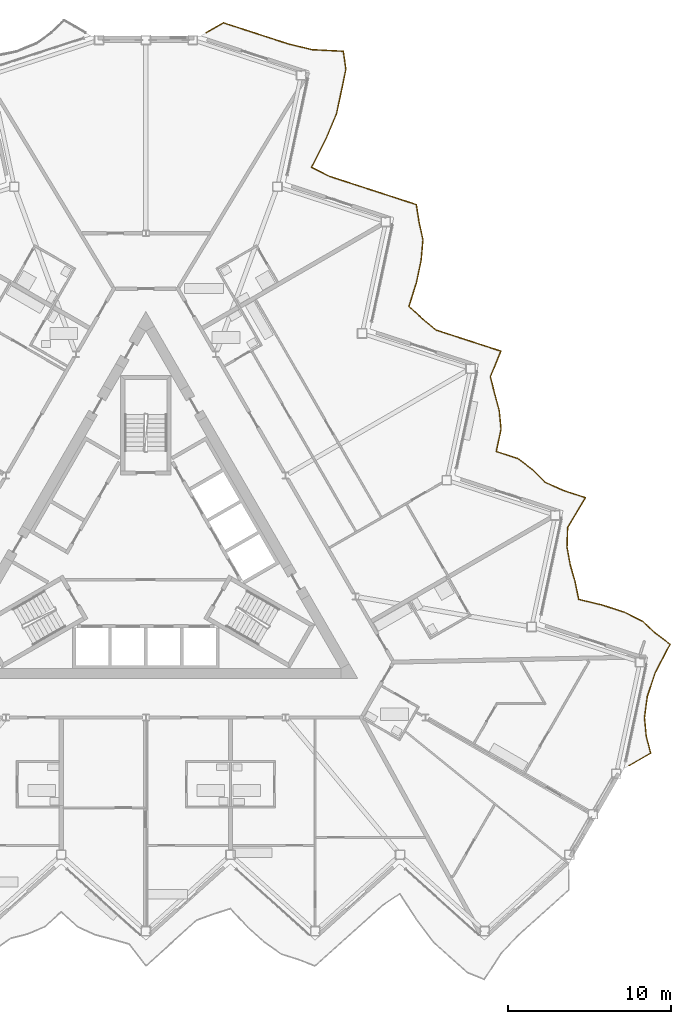
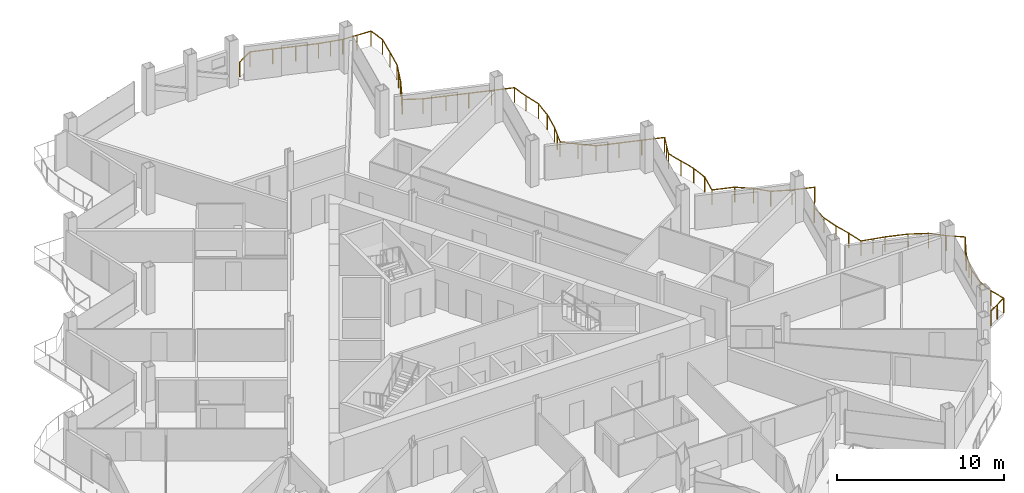
# One storey, part 25 of 27: 1 railing.
"""IFC4 building model written with IfcOpenShell, lengths in metres."""

import ifcopenshell
import ifcopenshell.guid

model = None  # the IFC model being written
_history = None  # IfcOwnerHistory: only IFC2X3 demands one
_inside = {}  # id of a spatial element -> (the spatial element, [elements in it])
_under = {}  # id of a project, library or spatial element -> (it, [spatial elements below it])
_declared = {}  # id of a project -> (the project, [libraries it declares])
_typed = {}  # id of a type object -> (the type object, [elements of that type])
_made_of = {}  # id of a material, layer set ... -> (it, [elements and type objects made of it])


def new_model(schema):
    """Start an empty IFC model of exactly this schema.

    Asked for "IFC4X3", IfcOpenShell would pick the latest addendum, in which some entities
    have other attributes; the version numbers below select the first issue.
    IFC2X3 requires an IfcOwnerHistory on every rooted entity: one is made here for all.
    """
    global model, _history
    if schema == "IFC4X3":
        model = ifcopenshell.file(schema_version=(4, 3, 0, 0))
    else:
        model = ifcopenshell.file(schema=schema)
    _inside.clear()
    _under.clear()
    _declared.clear()
    _typed.clear()
    _made_of.clear()
    _history = None
    if model.schema == "IFC2X3":
        org = make("IfcOrganization", Name="unknown")
        user = make(
            "IfcPersonAndOrganization",
            ThePerson=make("IfcPerson", FamilyName="unknown"),
            TheOrganization=org,
        )
        app = make(
            "IfcApplication",
            ApplicationDeveloper=org,
            Version="unknown",
            ApplicationFullName="unknown",
            ApplicationIdentifier="unknown",
        )
        _history = make(
            "IfcOwnerHistory",
            OwningUser=user,
            OwningApplication=app,
            ChangeAction="ADDED",
            CreationDate=0,
        )
    return model


def make(cls, **values):
    """One entity of the class cls with the attributes given. An attribute that is None is left unset."""
    return model.create_entity(
        cls, **{name: value for name, value in values.items() if value is not None}
    )


def rooted(cls, **values):
    """An entity with a GlobalId (a new one), such as an element, a storey or a relation."""
    return make(cls, GlobalId=ifcopenshell.guid.new(), OwnerHistory=_history, **values)


def si_unit(unit_type, name, prefix=None):
    """IfcSIUnit, for example si_unit("LENGTHUNIT", "METRE", prefix="MILLI")."""
    return make("IfcSIUnit", UnitType=unit_type, Prefix=prefix, Name=name)


def assignment(units):
    """IfcUnitAssignment: the units of a project."""
    return None if units is None else make("IfcUnitAssignment", Units=units)


def point(xyz):
    """IfcCartesianPoint."""
    return None if xyz is None else make("IfcCartesianPoint", Coordinates=xyz)


def direction(xyz):
    """IfcDirection."""
    return None if xyz is None else make("IfcDirection", DirectionRatios=xyz)


def frame(location, z_axis=None, x_axis=None):
    """IfcAxis2Placement3D, a coordinate frame: its origin and axes. An axis left out is left unset."""
    return make(
        "IfcAxis2Placement3D",
        Location=point(location),
        Axis=direction(z_axis),
        RefDirection=direction(x_axis),
    )


def frame_2d(location, x_axis=None):
    """IfcAxis2Placement2D, a coordinate frame in the plane: its origin and x axis."""
    return make(
        "IfcAxis2Placement2D", Location=point(location), RefDirection=direction(x_axis)
    )


def origin():
    """The frame at (0, 0, 0) with its axes left unset."""
    return frame((0.0, 0.0, 0.0))


def origin_2d():
    """The frame at (0, 0) in the plane with its x axis left unset."""
    return frame_2d((0.0, 0.0))


def place(relative_to, where):
    """IfcLocalPlacement: puts the frame where relative to a parent placement (None: the world)."""
    return make(
        "IfcLocalPlacement", PlacementRelTo=relative_to, RelativePlacement=where
    )


def context(
    kind, dimensions, precision=None, world=None, true_north=None, identifier=None
):
    """IfcGeometricRepresentationContext, for example the 3D "Model" context."""
    return make(
        "IfcGeometricRepresentationContext",
        ContextIdentifier=identifier,
        ContextType=kind,
        CoordinateSpaceDimension=dimensions,
        Precision=precision,
        WorldCoordinateSystem=world,
        TrueNorth=true_north,
    )


def subcontext(parent, identifier, kind, view, scale=None):
    """IfcGeometricRepresentationSubContext, for example "Body" below "Model"."""
    return make(
        "IfcGeometricRepresentationSubContext",
        ContextIdentifier=identifier,
        ContextType=kind,
        ParentContext=parent,
        TargetScale=scale,
        TargetView=view,
    )


def project(units=None, contexts=None):
    """IfcProject with its units and contexts."""
    return rooted(
        "IfcProject",
        Name="project",
        RepresentationContexts=contexts,
        UnitsInContext=assignment(units),
    )


def spatial(cls, under=None, at=None, **own):
    """A site, building, storey or space (cls), placed at a placement, below another one or the project."""
    s = rooted(cls, ObjectPlacement=at, **own)
    if under is not None:
        _under.setdefault(under.id(), (under, []))[1].append(s)
    return s


def profile(cls, at=None, kind="AREA", **sizes):
    """A parametric profile (cls). Its sizes go by their IFC names, for example OverallWidth=200.0."""
    return make(cls, ProfileType=kind, Position=at, **sizes)


def circle(**sizes):
    """IfcCircleProfileDef."""
    return profile("IfcCircleProfileDef", **sizes)


def extrude(swept, where, along, depth):
    """IfcExtrudedAreaSolid: the profile swept, set in the frame where, extruded along a direction by depth."""
    return make(
        "IfcExtrudedAreaSolid",
        SweptArea=swept,
        Position=where,
        ExtrudedDirection=direction(along),
        Depth=depth,
    )


def shape(context_of_items, identifier, shape_type, items):
    """IfcShapeRepresentation: the items that make up one representation, for example the "Body"."""
    return make(
        "IfcShapeRepresentation",
        ContextOfItems=context_of_items,
        RepresentationIdentifier=identifier,
        RepresentationType=shape_type,
        Items=items,
    )


def material(Name=None, Category=None):
    """IfcMaterial."""
    return make("IfcMaterial", Name=Name, Category=Category)


def made_of(thing, what):
    """Note that an element or type object is made of a material, layer set ...; save() writes the relation."""
    if what is not None:
        _made_of.setdefault(what.id(), (what, []))[1].append(thing)
    return thing


def type_object(cls, material=None, **own):
    """A type object (cls), such as IfcWallType, which elements share."""
    return made_of(rooted(cls, **own), material)


def element(
    cls,
    number,
    at=None,
    inside=None,
    cuts=None,
    type_object=None,
    material=None,
    context=None,
    identifier="Body",
    shape_type=None,
    held_by="IfcProductDefinitionShape",
    body=None,
    shapes=None,
    **own,
):
    """One element of the class cls, such as IfcWall. Its Tag is "e" and its number.

    at: its placement. inside: the storey or other place that contains it. cuts: it is an
    opening in that element (IfcRelVoidsElement). A single representation is given by context,
    identifier, shape_type and body (its items); several are given by shapes. held_by: the class
    of the entity that holds the representations. save() writes the other relations.
    """
    e = rooted(cls, Tag="e%d" % number, ObjectPlacement=at, **own)
    if body is not None:
        shapes = [shape(context, identifier, shape_type, body)]
    if shapes is not None:
        e.Representation = make(held_by, Representations=shapes)
    if inside is not None:
        _inside.setdefault(inside.id(), (inside, []))[1].append(e)
    if cuts is not None:
        rooted(
            "IfcRelVoidsElement", RelatingBuildingElement=cuts, RelatedOpeningElement=e
        )
    if type_object is not None:
        _typed.setdefault(type_object.id(), (type_object, []))[1].append(e)
    return made_of(e, material)


def aggregate(whole, parts):
    """IfcRelAggregates: a whole, such as a stair, and the parts it consists of."""
    return rooted("IfcRelAggregates", RelatingObject=whole, RelatedObjects=parts)


def save(model, path):
    """Write the relations noted so far, then the file.

    IfcRelAggregates (storeys below a building ...), IfcRelContainedInSpatialStructure (elements
    in a storey), IfcRelDefinesByType, IfcRelAssociatesMaterial and IfcRelDeclares: one each for
    every whole, place, type object, material and project.
    """
    for whole, parts in _under.values():
        aggregate(whole, parts)
    for where, things in _inside.values():
        rooted(
            "IfcRelContainedInSpatialStructure",
            RelatedElements=things,
            RelatingStructure=where,
        )
    for kind, things in _typed.values():
        rooted("IfcRelDefinesByType", RelatedObjects=things, RelatingType=kind)
    for what, things in _made_of.values():
        rooted("IfcRelAssociatesMaterial", RelatedObjects=things, RelatingMaterial=what)
    for by, libraries in _declared.values():
        rooted("IfcRelDeclares", RelatingContext=by, RelatedDefinitions=libraries)
    model.write(path)


model = new_model("IFC4")

# Units and contexts
model_context = context("Model", 3, precision=1e-05, world=origin(), true_north=direction((0.0, 1.0)))
body_context = subcontext(model_context, "Body", "Model", "MODEL_VIEW")
ifc_project = project(units=[si_unit("LENGTHUNIT", "METRE"), si_unit("AREAUNIT", "SQUARE_METRE"), si_unit("VOLUMEUNIT", "CUBIC_METRE"), si_unit("PLANEANGLEUNIT", "RADIAN"), si_unit("MASSUNIT", "GRAM", prefix="KILO")], contexts=[model_context])

# Site, building, storey
site_placement = place(None, origin())
site = spatial("IfcSite", under=ifc_project, at=site_placement, CompositionType="ELEMENT")
building_placement = place(site_placement, origin())
building = spatial("IfcBuilding", under=site, at=building_placement, Name="Cormorant Prow Tower", CompositionType="ELEMENT")
storey_placement = place(building_placement, frame((0.0, 0.0, 315.39990234375)))
storey = spatial("IfcBuildingStorey", under=building, at=storey_placement, Name="L69", CompositionType="ELEMENT", Elevation=315.39990234375)

# Railing
ifc_material = material(Name="Aluminium 6063-T6", Category="aluminium")
railing_type = type_object("IfcRailingType", Name="Balcony guard 1100", PredefinedType="GUARDRAIL", material=ifc_material)
railing_placement = place(storey_placement, frame((29.66748046875, -12.852294921875, 0.0)))
element("IfcRailing", 1, at=railing_placement, inside=storey, type_object=railing_type, Name="Balcony guard ENE", PredefinedType="GUARDRAIL", context=body_context, shape_type="SweptSolid", body=[
    extrude(circle(Radius=0.02392578125, at=origin_2d()), frame((0.0, 0.0, 1.076171875), z_axis=(0.865990296034, 0.500060803479, 0.0), x_axis=(-0.500060803479, 0.865990296034, 0.0)), (0.0, 0.0, 1.0), 1.519775390625),
    extrude(circle(Radius=0.02392578125, at=origin_2d()), frame((1.316162109375, 0.760009765625, 1.076171875), z_axis=(-0.254526797847, 0.96706572123, 0.0), x_axis=(-0.96706572123, -0.254526797847, 0.0)), (0.0, 0.0, 1.0), 1.076171875),
    extrude(circle(Radius=0.02392578125, at=origin_2d()), frame((1.042236328125, 1.80078125, 1.076171875), z_axis=(-0.094930168972, 0.995483934084, 0.0), x_axis=(-0.995483934084, -0.094930168972, 0.0)), (0.0, 0.0, 1.0), 1.141845703125),
    extrude(circle(Radius=0.02392578125, at=origin_2d()), frame((0.933837890625, 2.9375, 1.076171875), z_axis=(0.133053480017, 0.991108859538, 0.0), x_axis=(-0.991108859538, 0.133053480017, 0.0)), (0.0, 0.0, 1.0), 1.31201171875),
    extrude(circle(Radius=0.02392578125, at=origin_2d()), frame((1.1083984375, 4.23779296875, 1.076171875), z_axis=(0.314680505044, 0.949197650516, 0.0), x_axis=(-0.949197650516, 0.314680505044, 0.0)), (0.0, 0.0, 1.0), 1.5625),
    extrude(circle(Radius=0.02392578125, at=origin_2d()), frame((1.60009765625, 5.720947265625, 1.076171875), z_axis=(0.46650004897, 0.884521172336, 0.0), x_axis=(-0.884521172336, 0.46650004897, 0.0)), (0.0, 0.0, 1.0), 1.948974609375),
    extrude(circle(Radius=0.02392578125, at=origin_2d()), frame((2.50927734375, 7.44482421875, 1.076171875), z_axis=(-0.801448559244, 0.598063714738, 0.0), x_axis=(-0.598063714738, -0.801448559244, 0.0)), (0.0, 0.0, 1.0), 1.130859375),
    extrude(circle(Radius=0.02392578125, at=origin_2d()), frame((1.60302734375, 8.12109375, 1.076171875), z_axis=(-0.731832125481, 0.681484952229, 0.0), x_axis=(-0.681484952229, -0.731832125481, 0.0)), (0.0, 0.0, 1.0), 1.086181640625),
    extrude(circle(Radius=0.02392578125, at=origin_2d()), frame((0.80810546875, 8.861328125, 1.076171875), z_axis=(-0.895832274755, 0.444392321611, 0.0), x_axis=(-0.444392321611, -0.895832274755, 0.0)), (0.0, 0.0, 1.0), 1.2470703125),
    extrude(circle(Radius=0.02392578125, at=origin_2d()), frame((-0.30908203125, 9.41552734375, 1.076171875), z_axis=(-0.951049473261, 0.309038669765, 0.0), x_axis=(-0.309038669765, -0.951049473261, 0.0)), (0.0, 0.0, 1.0), 1.3974609375),
    extrude(circle(Radius=0.02392578125, at=origin_2d()), frame((-1.63818359375, 9.847412109375, 1.076171875), z_axis=(-0.972192918436, 0.234181402642, 0.0), x_axis=(-0.234181402642, -0.972192918436, 0.0)), (0.0, 0.0, 1.0), 1.507568359375),
    extrude(circle(Radius=0.02392578125, at=origin_2d()), frame((-3.103759765625, 10.200439453125, 1.076171875), z_axis=(-0.199287382647, 0.979941089616, 0.0), x_axis=(-0.979941089616, -0.199287382647, 0.0)), (0.0, 0.0, 1.0), 1.09521484375),
    extrude(circle(Radius=0.02392578125, at=origin_2d()), frame((-3.322021484375, 11.273681640625, 1.076171875), z_axis=(-0.276528694567, 0.961005661316, 0.0), x_axis=(-0.961005661316, -0.276528694567, 0.0)), (0.0, 0.0, 1.0), 1.070068359375),
    extrude(circle(Radius=0.02392578125, at=origin_2d()), frame((-3.617919921875, 12.302001953125, 1.076171875), z_axis=(-0.182628921889, 0.983181914444, 0.0), x_axis=(-0.983181914444, -0.182628921889, 0.0)), (0.0, 0.0, 1.0), 1.1015625),
    extrude(circle(Radius=0.02392578125, at=origin_2d()), frame((-3.819091796875, 13.385009765625, 1.076171875), z_axis=(0.03117236859, 0.999514023632, 0.0), x_axis=(-0.999514023632, 0.03117236859, 0.0)), (0.0, 0.0, 1.0), 1.2216796875),
    extrude(circle(Radius=0.02392578125, at=origin_2d()), frame((-3.781005859375, 14.606201171875, 1.076171875), z_axis=(0.513672056479, 0.857986607351, 0.0), x_axis=(-0.857986607351, 0.513672056479, 0.0)), (0.0, 0.0, 1.0), 2.136474609375),
    extrude(circle(Radius=0.02392578125, at=origin_2d()), frame((-2.68359375, 16.439208984375, 1.076171875), z_axis=(-0.951049473261, 0.309038669765, 0.0), x_axis=(-0.309038669765, -0.951049473261, 0.0)), (0.0, 0.0, 1.0), 1.3974609375),
    extrude(circle(Radius=0.02392578125, at=origin_2d()), frame((-4.0126953125, 16.87109375, 1.076171875), z_axis=(-0.913371682703, 0.407126723804, 0.0), x_axis=(-0.407126723804, -0.913371682703, 0.0)), (0.0, 0.0, 1.0), 1.283203125),
    extrude(circle(Radius=0.02392578125, at=origin_2d()), frame((-5.184814453125, 17.3935546875, 1.076171875), z_axis=(-0.700819725336, 0.713338427802, 0.0), x_axis=(-0.713338427802, -0.700819725336, 0.0)), (0.0, 0.0, 1.0), 1.072509765625),
    extrude(circle(Radius=0.02392578125, at=origin_2d()), frame((-5.9365234375, 18.15869140625, 1.076171875), z_axis=(-0.794868640028, 0.60678154644, 0.0), x_axis=(-0.60678154644, -0.794868640028, 0.0)), (0.0, 0.0, 1.0), 1.12548828125),
    extrude(circle(Radius=0.02392578125, at=origin_2d()), frame((-6.8310546875, 18.841552734375, 1.076171875), z_axis=(-0.951049473261, 0.309038669765, 0.0), x_axis=(-0.309038669765, -0.951049473261, 0.0)), (0.0, 0.0, 1.0), 1.3974609375),
    extrude(circle(Radius=0.02392578125, at=origin_2d()), frame((-8.16015625, 19.2734375, 1.076171875), z_axis=(0.208061417088, 0.978115763455, 0.0), x_axis=(-0.978115763455, 0.208061417088, 0.0)), (0.0, 0.0, 1.0), 1.3974609375),
    extrude(circle(Radius=0.02392578125, at=origin_2d()), frame((-7.869384765625, 20.640380859375, 1.076171875), z_axis=(-0.093578968854, 0.99561186041, 0.0), x_axis=(-0.99561186041, -0.093578968854, 0.0)), (0.0, 0.0, 1.0), 1.142822265625),
    extrude(circle(Radius=0.02392578125, at=origin_2d()), frame((-7.976318359375, 21.778076171875, 1.076171875), z_axis=(-0.262809603673, 0.964847714522, 0.0), x_axis=(-0.964847714522, -0.262809603673, 0.0)), (0.0, 0.0, 1.0), 1.073974609375),
    extrude(circle(Radius=0.02392578125, at=origin_2d()), frame((-8.258544921875, 22.814208984375, 1.076171875), z_axis=(-0.244929504133, 0.969540890321, 0.0), x_axis=(-0.969540890321, -0.244929504133, 0.0)), (0.0, 0.0, 1.0), 1.07958984375),
    extrude(circle(Radius=0.02392578125, at=origin_2d()), frame((-8.52294921875, 23.86083984375, 1.076171875), z_axis=(0.380236971606, 0.924889098986, 0.0), x_axis=(-0.924889098986, 0.380236971606, 0.0)), (0.0, 0.0, 1.0), 1.7001953125),
    extrude(circle(Radius=0.02392578125, at=origin_2d()), frame((-7.87646484375, 25.433349609375, 1.076171875), z_axis=(-0.951049473261, 0.309038669765, 0.0), x_axis=(-0.309038669765, -0.951049473261, 0.0)), (0.0, 0.0, 1.0), 1.3974609375),
    extrude(circle(Radius=0.02392578125, at=origin_2d()), frame((-9.20556640625, 25.865234375, 1.076171875), z_axis=(-0.951049473261, 0.309038669765, 0.0), x_axis=(-0.309038669765, -0.951049473261, 0.0)), (0.0, 0.0, 1.0), 1.3974609375),
    extrude(circle(Radius=0.02392578125, at=origin_2d()), frame((-10.53466796875, 26.297119140625, 1.076171875), z_axis=(-0.951049473261, 0.309038669765, 0.0), x_axis=(-0.309038669765, -0.951049473261, 0.0)), (0.0, 0.0, 1.0), 1.3974609375),
    extrude(circle(Radius=0.02392578125, at=origin_2d()), frame((-11.86376953125, 26.72900390625, 1.076171875), z_axis=(-0.765752738329, 0.643135089808, 0.0), x_axis=(-0.643135089808, -0.765752738329, 0.0)), (0.0, 0.0, 1.0), 1.10498046875),
    extrude(circle(Radius=0.02392578125, at=origin_2d()), frame((-12.7099609375, 27.439697265625, 1.076171875), z_axis=(-0.74167887403, 0.670755132532, 0.0), x_axis=(-0.670755132532, -0.74167887403, 0.0)), (0.0, 0.0, 1.0), 1.09130859375),
    extrude(circle(Radius=0.02392578125, at=origin_2d()), frame((-13.519287109375, 28.171630859375, 1.076171875), z_axis=(0.298157095607, 0.954516813021, 0.0), x_axis=(-0.954516813021, 0.298157095607, 0.0)), (0.0, 0.0, 1.0), 1.532958984375),
    extrude(circle(Radius=0.02392578125, at=origin_2d()), frame((-13.062255859375, 29.634765625, 1.076171875), z_axis=(0.20789427571, 0.978151302267, 0.0), x_axis=(-0.978151302267, 0.20789427571, 0.0)), (0.0, 0.0, 1.0), 1.3974609375),
    extrude(circle(Radius=0.02392578125, at=origin_2d()), frame((-12.771728515625, 31.001708984375, 1.076171875), z_axis=(0.087045114157, 0.99620437065, 0.0), x_axis=(-0.99620437065, 0.087045114157, 0.0)), (0.0, 0.0, 1.0), 1.267822265625),
    extrude(circle(Radius=0.02392578125, at=origin_2d()), frame((-12.661376953125, 32.2646484375, 1.076171875), z_axis=(-0.214699317725, 0.976680194828, 0.0), x_axis=(-0.976680194828, -0.214699317725, 0.0)), (0.0, 0.0, 1.0), 1.08935546875),
    extrude(circle(Radius=0.02392578125, at=origin_2d()), frame((-12.895263671875, 33.32861328125, 1.076171875), z_axis=(-0.156244286063, 0.987718443218, 0.0), x_axis=(-0.987718443218, -0.156244286063, 0.0)), (0.0, 0.0, 1.0), 1.112548828125),
    extrude(circle(Radius=0.02392578125, at=origin_2d()), frame((-13.069091796875, 34.427490234375, 1.076171875), z_axis=(-0.951066153506, 0.308987332516, 0.0), x_axis=(-0.308987332516, -0.951066153506, 0.0)), (0.0, 0.0, 1.0), 1.397705078125),
    extrude(circle(Radius=0.02392578125, at=origin_2d()), frame((-14.3984375, 34.859375, 1.076171875), z_axis=(-0.951049473261, 0.309038669765, 0.0), x_axis=(-0.309038669765, -0.951049473261, 0.0)), (0.0, 0.0, 1.0), 1.3974609375),
    extrude(circle(Radius=0.02392578125, at=origin_2d()), frame((-15.7275390625, 35.291259765625, 1.076171875), z_axis=(-0.951049473261, 0.309038669765, 0.0), x_axis=(-0.309038669765, -0.951049473261, 0.0)), (0.0, 0.0, 1.0), 1.3974609375),
    extrude(circle(Radius=0.02392578125, at=origin_2d()), frame((-17.056640625, 35.72314453125, 1.076171875), z_axis=(-0.951049473261, 0.309038669765, 0.0), x_axis=(-0.309038669765, -0.951049473261, 0.0)), (0.0, 0.0, 1.0), 1.3974609375),
    extrude(circle(Radius=0.02392578125, at=origin_2d()), frame((-18.3857421875, 36.155029296875, 1.076171875), z_axis=(-0.893797979222, 0.44846981207, 0.0), x_axis=(-0.44846981207, -0.893797979222, 0.0)), (0.0, 0.0, 1.0), 1.243408203125),
    extrude(circle(Radius=0.02392578125, at=origin_2d()), frame((-19.4970703125, 36.712646484375, 1.076171875), z_axis=(0.452646834829, 0.891689880463, 0.0), x_axis=(-0.891689880463, 0.452646834829, 0.0)), (0.0, 0.0, 1.0), 1.90234375),
    extrude(circle(Radius=0.02392578125, at=origin_2d()), frame((-18.635986328125, 38.408935546875, 1.076171875), z_axis=(0.389639990837, 0.920967251069, 0.0), x_axis=(-0.920967251069, 0.389639990837, 0.0)), (0.0, 0.0, 1.0), 1.72314453125),
    extrude(circle(Radius=0.02392578125, at=origin_2d()), frame((-17.964599609375, 39.995849609375, 1.076171875), z_axis=(0.20789427571, 0.978151302267, 0.0), x_axis=(-0.978151302267, 0.20789427571, 0.0)), (0.0, 0.0, 1.0), 1.3974609375),
    extrude(circle(Radius=0.02392578125, at=origin_2d()), frame((-17.674072265625, 41.36279296875, 1.076171875), z_axis=(0.203632055685, 0.979047489092, 0.0), x_axis=(-0.979047489092, 0.203632055685, 0.0)), (0.0, 0.0, 1.0), 1.391845703125),
    extrude(circle(Radius=0.02392578125, at=origin_2d()), frame((-17.390625, 42.7255859375, 1.076171875), z_axis=(-0.137425923861, 0.9905120471, 0.0), x_axis=(-0.9905120471, -0.137425923861, 0.0)), (0.0, 0.0, 1.0), 1.12109375),
    extrude(circle(Radius=0.02392578125, at=origin_2d()), frame((-17.544677734375, 43.8359375, 1.076171875), z_axis=(-0.998693020382, 0.051110185281, 0.0), x_axis=(-0.051110185281, -0.998693020382, 0.0)), (0.0, 0.0, 1.0), 1.91064453125),
    extrude(circle(Radius=0.02392578125, at=origin_2d()), frame((-19.452880859375, 43.93359375, 1.076171875), z_axis=(-0.972401986651, 0.233311757862, 0.0), x_axis=(-0.233311757862, -0.972401986651, 0.0)), (0.0, 0.0, 1.0), 1.509033203125),
    extrude(circle(Radius=0.02392578125, at=origin_2d()), frame((-20.920166015625, 44.28564453125, 1.076171875), z_axis=(-0.951100808232, 0.308880644554, 0.0), x_axis=(-0.308880644554, -0.951100808232, 0.0)), (0.0, 0.0, 1.0), 1.3974609375),
    extrude(circle(Radius=0.02392578125, at=origin_2d()), frame((-22.249267578125, 44.71728515625, 1.076171875), z_axis=(-0.951014813985, 0.309145311433, 0.0), x_axis=(-0.309145311433, -0.951014813985, 0.0)), (0.0, 0.0, 1.0), 1.397705078125),
    extrude(circle(Radius=0.02392578125, at=origin_2d()), frame((-23.57861328125, 45.1494140625, 1.076171875), z_axis=(-0.951049473261, 0.309038669765, 0.0), x_axis=(-0.309038669765, -0.951049473261, 0.0)), (0.0, 0.0, 1.0), 1.3974609375),
    extrude(circle(Radius=0.02392578125, at=origin_2d()), frame((-24.90771484375, 45.581298828125, 1.076171875), z_axis=(-0.865955602162, -0.500120880472, 0.0), x_axis=(0.500120880472, -0.865955602162, 0.0)), (0.0, 0.0, 1.0), 1.219970703125),
    extrude(circle(Radius=0.02099609375, at=origin_2d()), origin(), (0.0, 0.0, 1.0), 1.052001953125),
    extrude(circle(Radius=0.02099609375, at=origin_2d()), frame((0.658203125, 0.3798828125, 0.0)), (0.0, 0.0, 1.0), 1.052001953125),
    extrude(circle(Radius=0.02099609375, at=origin_2d()), frame((1.316162109375, 0.760009765625, 0.0)), (0.0, 0.0, 1.0), 1.052001953125),
    extrude(circle(Radius=0.02099609375, at=origin_2d()), frame((1.042236328125, 1.80078125, 0.0)), (0.0, 0.0, 1.0), 1.052001953125),
    extrude(circle(Radius=0.02099609375, at=origin_2d()), frame((0.933837890625, 2.9375, 0.0)), (0.0, 0.0, 1.0), 1.052001953125),
    extrude(circle(Radius=0.02099609375, at=origin_2d()), frame((1.1083984375, 4.23779296875, 0.0)), (0.0, 0.0, 1.0), 1.052001953125),
    extrude(circle(Radius=0.02099609375, at=origin_2d()), frame((1.354248046875, 4.9794921875, 0.0)), (0.0, 0.0, 1.0), 1.052001953125),
    extrude(circle(Radius=0.02099609375, at=origin_2d()), frame((1.60009765625, 5.720947265625, 0.0)), (0.0, 0.0, 1.0), 1.052001953125),
    extrude(circle(Radius=0.02099609375, at=origin_2d()), frame((2.0546875, 6.5830078125, 0.0)), (0.0, 0.0, 1.0), 1.052001953125),
    extrude(circle(Radius=0.02099609375, at=origin_2d()), frame((2.50927734375, 7.44482421875, 0.0)), (0.0, 0.0, 1.0), 1.052001953125),
    extrude(circle(Radius=0.02099609375, at=origin_2d()), frame((1.60302734375, 8.12109375, 0.0)), (0.0, 0.0, 1.0), 1.052001953125),
    extrude(circle(Radius=0.02099609375, at=origin_2d()), frame((0.80810546875, 8.861328125, 0.0)), (0.0, 0.0, 1.0), 1.052001953125),
    extrude(circle(Radius=0.02099609375, at=origin_2d()), frame((-0.30908203125, 9.41552734375, 0.0)), (0.0, 0.0, 1.0), 1.052001953125),
    extrude(circle(Radius=0.02099609375, at=origin_2d()), frame((-1.63818359375, 9.847412109375, 0.0)), (0.0, 0.0, 1.0), 1.052001953125),
    extrude(circle(Radius=0.02099609375, at=origin_2d()), frame((-2.37109375, 10.02392578125, 0.0)), (0.0, 0.0, 1.0), 1.052001953125),
    extrude(circle(Radius=0.02099609375, at=origin_2d()), frame((-3.103759765625, 10.200439453125, 0.0)), (0.0, 0.0, 1.0), 1.052001953125),
    extrude(circle(Radius=0.02099609375, at=origin_2d()), frame((-3.322021484375, 11.273681640625, 0.0)), (0.0, 0.0, 1.0), 1.052001953125),
    extrude(circle(Radius=0.02099609375, at=origin_2d()), frame((-3.617919921875, 12.302001953125, 0.0)), (0.0, 0.0, 1.0), 1.052001953125),
    extrude(circle(Radius=0.02099609375, at=origin_2d()), frame((-3.819091796875, 13.385009765625, 0.0)), (0.0, 0.0, 1.0), 1.052001953125),
    extrude(circle(Radius=0.02099609375, at=origin_2d()), frame((-3.781005859375, 14.606201171875, 0.0)), (0.0, 0.0, 1.0), 1.052001953125),
    extrude(circle(Radius=0.02099609375, at=origin_2d()), frame((-3.232421875, 15.522705078125, 0.0)), (0.0, 0.0, 1.0), 1.052001953125),
    extrude(circle(Radius=0.02099609375, at=origin_2d()), frame((-2.68359375, 16.439208984375, 0.0)), (0.0, 0.0, 1.0), 1.052001953125),
    extrude(circle(Radius=0.02099609375, at=origin_2d()), frame((-4.0126953125, 16.87109375, 0.0)), (0.0, 0.0, 1.0), 1.052001953125),
    extrude(circle(Radius=0.02099609375, at=origin_2d()), frame((-5.184814453125, 17.3935546875, 0.0)), (0.0, 0.0, 1.0), 1.052001953125),
    extrude(circle(Radius=0.02099609375, at=origin_2d()), frame((-5.9365234375, 18.15869140625, 0.0)), (0.0, 0.0, 1.0), 1.052001953125),
    extrude(circle(Radius=0.02099609375, at=origin_2d()), frame((-6.8310546875, 18.841552734375, 0.0)), (0.0, 0.0, 1.0), 1.052001953125),
    extrude(circle(Radius=0.02099609375, at=origin_2d()), frame((-8.16015625, 19.2734375, 0.0)), (0.0, 0.0, 1.0), 1.052001953125),
    extrude(circle(Radius=0.02099609375, at=origin_2d()), frame((-7.869384765625, 20.640380859375, 0.0)), (0.0, 0.0, 1.0), 1.052001953125),
    extrude(circle(Radius=0.02099609375, at=origin_2d()), frame((-7.976318359375, 21.778076171875, 0.0)), (0.0, 0.0, 1.0), 1.052001953125),
    extrude(circle(Radius=0.02099609375, at=origin_2d()), frame((-8.258544921875, 22.814208984375, 0.0)), (0.0, 0.0, 1.0), 1.052001953125),
    extrude(circle(Radius=0.02099609375, at=origin_2d()), frame((-8.52294921875, 23.86083984375, 0.0)), (0.0, 0.0, 1.0), 1.052001953125),
    extrude(circle(Radius=0.02099609375, at=origin_2d()), frame((-8.19970703125, 24.64697265625, 0.0)), (0.0, 0.0, 1.0), 1.052001953125),
    extrude(circle(Radius=0.02099609375, at=origin_2d()), frame((-7.87646484375, 25.433349609375, 0.0)), (0.0, 0.0, 1.0), 1.052001953125),
    extrude(circle(Radius=0.02099609375, at=origin_2d()), frame((-9.20556640625, 25.865234375, 0.0)), (0.0, 0.0, 1.0), 1.052001953125),
    extrude(circle(Radius=0.02099609375, at=origin_2d()), frame((-10.53466796875, 26.297119140625, 0.0)), (0.0, 0.0, 1.0), 1.052001953125),
    extrude(circle(Radius=0.02099609375, at=origin_2d()), frame((-11.86376953125, 26.72900390625, 0.0)), (0.0, 0.0, 1.0), 1.052001953125),
    extrude(circle(Radius=0.02099609375, at=origin_2d()), frame((-12.7099609375, 27.439697265625, 0.0)), (0.0, 0.0, 1.0), 1.052001953125),
    extrude(circle(Radius=0.02099609375, at=origin_2d()), frame((-13.519287109375, 28.171630859375, 0.0)), (0.0, 0.0, 1.0), 1.052001953125),
    extrude(circle(Radius=0.02099609375, at=origin_2d()), frame((-13.290771484375, 28.9033203125, 0.0)), (0.0, 0.0, 1.0), 1.052001953125),
    extrude(circle(Radius=0.02099609375, at=origin_2d()), frame((-13.062255859375, 29.634765625, 0.0)), (0.0, 0.0, 1.0), 1.052001953125),
    extrude(circle(Radius=0.02099609375, at=origin_2d()), frame((-12.771728515625, 31.001708984375, 0.0)), (0.0, 0.0, 1.0), 1.052001953125),
    extrude(circle(Radius=0.02099609375, at=origin_2d()), frame((-12.661376953125, 32.2646484375, 0.0)), (0.0, 0.0, 1.0), 1.052001953125),
    extrude(circle(Radius=0.02099609375, at=origin_2d()), frame((-12.895263671875, 33.32861328125, 0.0)), (0.0, 0.0, 1.0), 1.052001953125),
    extrude(circle(Radius=0.02099609375, at=origin_2d()), frame((-13.069091796875, 34.427490234375, 0.0)), (0.0, 0.0, 1.0), 1.052001953125),
    extrude(circle(Radius=0.02099609375, at=origin_2d()), frame((-14.3984375, 34.859375, 0.0)), (0.0, 0.0, 1.0), 1.052001953125),
    extrude(circle(Radius=0.02099609375, at=origin_2d()), frame((-15.7275390625, 35.291259765625, 0.0)), (0.0, 0.0, 1.0), 1.052001953125),
    extrude(circle(Radius=0.02099609375, at=origin_2d()), frame((-17.056640625, 35.72314453125, 0.0)), (0.0, 0.0, 1.0), 1.052001953125),
    extrude(circle(Radius=0.02099609375, at=origin_2d()), frame((-18.3857421875, 36.155029296875, 0.0)), (0.0, 0.0, 1.0), 1.052001953125),
    extrude(circle(Radius=0.02099609375, at=origin_2d()), frame((-19.4970703125, 36.712646484375, 0.0)), (0.0, 0.0, 1.0), 1.052001953125),
    extrude(circle(Radius=0.02099609375, at=origin_2d()), frame((-19.06640625, 37.560791015625, 0.0)), (0.0, 0.0, 1.0), 1.052001953125),
    extrude(circle(Radius=0.02099609375, at=origin_2d()), frame((-18.635986328125, 38.408935546875, 0.0)), (0.0, 0.0, 1.0), 1.052001953125),
    extrude(circle(Radius=0.02099609375, at=origin_2d()), frame((-18.30029296875, 39.202392578125, 0.0)), (0.0, 0.0, 1.0), 1.052001953125),
    extrude(circle(Radius=0.02099609375, at=origin_2d()), frame((-17.964599609375, 39.995849609375, 0.0)), (0.0, 0.0, 1.0), 1.052001953125),
    extrude(circle(Radius=0.02099609375, at=origin_2d()), frame((-17.674072265625, 41.36279296875, 0.0)), (0.0, 0.0, 1.0), 1.052001953125),
    extrude(circle(Radius=0.02099609375, at=origin_2d()), frame((-17.390625, 42.7255859375, 0.0)), (0.0, 0.0, 1.0), 1.052001953125),
    extrude(circle(Radius=0.02099609375, at=origin_2d()), frame((-17.544677734375, 43.8359375, 0.0)), (0.0, 0.0, 1.0), 1.052001953125),
    extrude(circle(Radius=0.02099609375, at=origin_2d()), frame((-18.498779296875, 43.884765625, 0.0)), (0.0, 0.0, 1.0), 1.052001953125),
    extrude(circle(Radius=0.02099609375, at=origin_2d()), frame((-19.452880859375, 43.93359375, 0.0)), (0.0, 0.0, 1.0), 1.052001953125),
    extrude(circle(Radius=0.02099609375, at=origin_2d()), frame((-20.1865234375, 44.109619140625, 0.0)), (0.0, 0.0, 1.0), 1.052001953125),
    extrude(circle(Radius=0.02099609375, at=origin_2d()), frame((-20.920166015625, 44.28564453125, 0.0)), (0.0, 0.0, 1.0), 1.052001953125),
    extrude(circle(Radius=0.02099609375, at=origin_2d()), frame((-22.249267578125, 44.71728515625, 0.0)), (0.0, 0.0, 1.0), 1.052001953125),
    extrude(circle(Radius=0.02099609375, at=origin_2d()), frame((-23.57861328125, 45.1494140625, 0.0)), (0.0, 0.0, 1.0), 1.052001953125),
    extrude(circle(Radius=0.02099609375, at=origin_2d()), frame((-24.90771484375, 45.581298828125, 0.0)), (0.0, 0.0, 1.0), 1.052001953125),
    extrude(circle(Radius=0.02099609375, at=origin_2d()), frame((-25.964111328125, 44.97119140625, 0.0)), (0.0, 0.0, 1.0), 1.052001953125),
])

save(model, "model.ifc")
